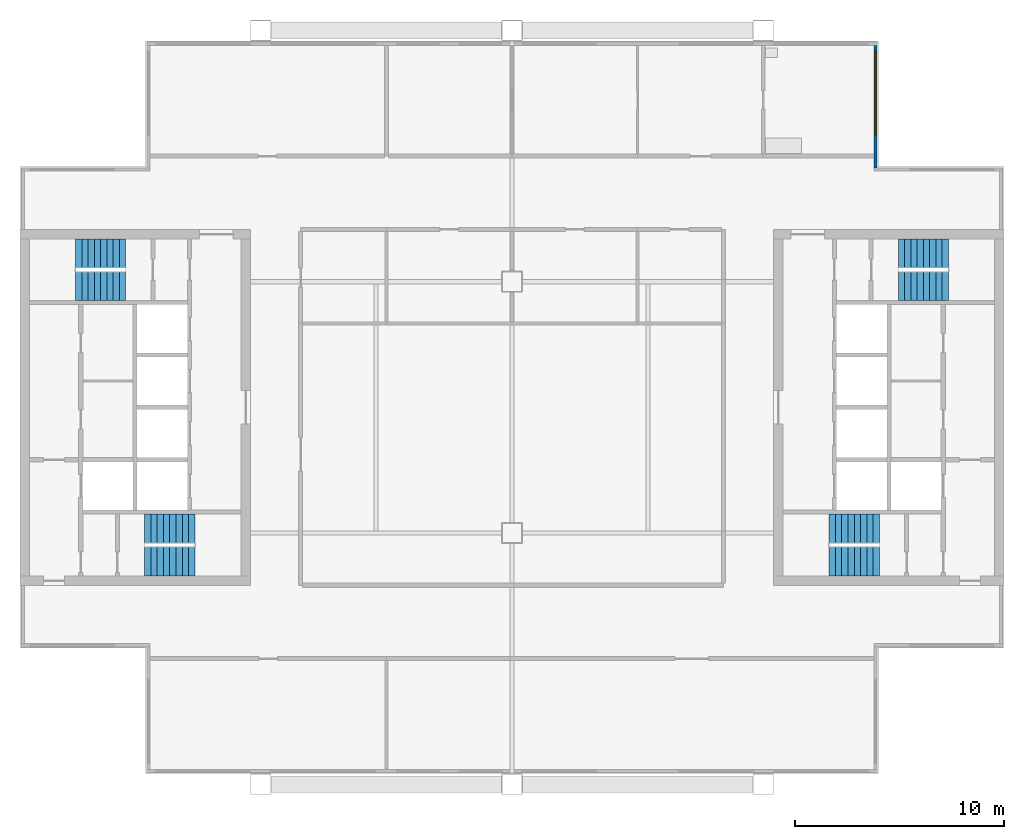
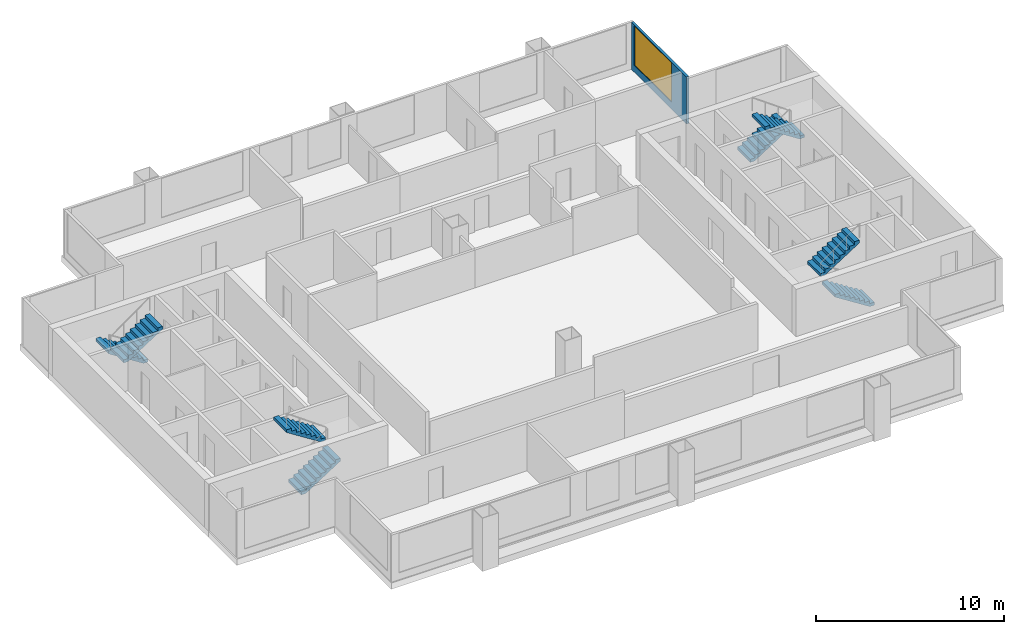
# One storey, part 5 of 7: 8 stair flights, 1 wall, 1 window, 1 opening, 4 elements without a shape of their own.
"""IFC4 building model written with IfcOpenShell, lengths in metres."""

from ifc_helpers import new_model, si_unit, direction, frame, frame_2d, origin, place, context, subcontext, project, spatial, polyline, rectangle, outline, extrude, material, layer, layer_set, type_object, element, fill, aggregate, save


model = new_model("IFC4")

# Units and contexts
model_context = context("Model", 3, precision=1e-05, world=origin(), true_north=direction((0.0, 1.0)))
body_context = subcontext(model_context, "Body", "Model", "MODEL_VIEW")
ifc_project = project(units=[si_unit("LENGTHUNIT", "METRE"), si_unit("AREAUNIT", "SQUARE_METRE"), si_unit("VOLUMEUNIT", "CUBIC_METRE"), si_unit("PLANEANGLEUNIT", "RADIAN"), si_unit("MASSUNIT", "GRAM", prefix="KILO")], contexts=[model_context])

# Site, building, storey
site_placement = place(None, origin())
site = spatial("IfcSite", under=ifc_project, at=site_placement, CompositionType="ELEMENT")
building_placement = place(site_placement, origin())
building = spatial("IfcBuilding", under=site, at=building_placement, Name="Kitamizu Gate Tower and Museum", CompositionType="ELEMENT")
storey_placement = place(building_placement, frame((0.0, 0.0, 245.550048828125)))
storey = spatial("IfcBuildingStorey", under=building, at=storey_placement, Name="L66", CompositionType="ELEMENT", Elevation=245.550048828125)

# Wall, opening, window
ifc_material_1 = material(Name="Bronze anodised aluminium frame with insulated spandrel and tinted glass", Category="aluminium")
ifc_layer = layer(ifc_material_1, 0.14990234375)
ifc_layer_set = layer_set([ifc_layer], Name="Bronze anodised aluminium frame with insulated spandrel and tinted glass")
wall_type = type_object("IfcWallType", Name="WINDOW WALL 150 BRONZE FRAME EI 30", PredefinedType="ELEMENTEDWALL", material=ifc_layer_set)
wall_placement = place(storey_placement, frame((53.364990234375, 41.43994140625, 0.0), z_axis=(0.0, 0.0, 1.0), x_axis=(0.0, 1.0, 0.0)))
wall = element("IfcWall", 1, at=wall_placement, inside=storey, type_object=wall_type, Name="Window wall east L66", PredefinedType="ELEMENTEDWALL", context=body_context, shape_type="SweptSolid", body=[
    extrude(rectangle(XDim=5.85009765625, YDim=0.14990234375, at=frame_2d((2.925048828125, 0.0))), origin(), (0.0, 0.0, 1.0), 3.050048828125),
])
opening_placement = place(wall_placement, frame((1.56005859375, 0.0, 0.449951171875)))
opening = element("IfcOpeningElement", 2, at=opening_placement, cuts=wall, Name="Opening W16", PredefinedType="OPENING", context=body_context, shape_type="SweptSolid", body=[
    extrude(rectangle(XDim=4.0, YDim=2.550048828125, at=frame_2d((2.0, 1.27490234375))), frame((0.0, 0.0849609375, 0.0), z_axis=(0.0, -1.0, 0.0), x_axis=(1.0, 0.0, 0.0)), (0.0, 0.0, 1.0), 0.169921875),
])
ifc_material_2 = material(Name="Bronze anodised aluminium frame, tinted triple glazing", Category="aluminium")
window_type = type_object("IfcWindowType", Name="WINDOW 4000 x 2550 SILL 450", PartitioningType="SINGLE_PANEL", PredefinedType="WINDOW", material=ifc_material_2)
window_placement = place(opening_placement, origin())
window = element("IfcWindow", 3, at=window_placement, inside=storey, type_object=window_type, Name="Window W16 L66", OverallHeight=2.550048828125, OverallWidth=4.0, PartitioningType="SINGLE_PANEL", PredefinedType="WINDOW", context=body_context, shape_type="SweptSolid", body=[
    extrude(rectangle(XDim=4.0, YDim=2.550048828125, at=frame_2d((2.0, 1.27490234375))), frame((0.0, 0.030029296875, 0.0), z_axis=(0.0, -1.0, 0.0), x_axis=(1.0, 0.0, 0.0)), (0.0, 0.0, 1.0), 0.06005859375),
])
fill(opening, window)

# Stair, stair flights
ifc_material_3 = material(Name="Concrete Fc42", Category="concrete")
stair_type = type_object("IfcStairType", Name="Exit stair 1375 wide 192 rise 300 going", PredefinedType="HALF_TURN_STAIR", material=ifc_material_3)
stair_1_placement = place(storey_placement, origin())
stair_1 = element("IfcStair", 4, at=stair_1_placement, inside=storey, type_object=stair_type, Name="Exit stair ST1", PredefinedType="HALF_TURN_STAIR")
ifc_material_4 = material(Name="Concrete Fc42", Category="concrete")
stair_flight_type = type_object("IfcStairFlightType", Name="Stair flight 1375 wide 192 rise 300 going", PredefinedType="STRAIGHT", material=ifc_material_4)
stair_flight_1_placement = place(storey_placement, frame((18.449951171875, 22.637451171875, 0.0), z_axis=(0.0, 0.0, 1.0), x_axis=(1.0, 0.0, 0.0)))
stair_flight_1 = element("IfcStairFlight", 5, at=stair_flight_1_placement, type_object=stair_flight_type, Name="ST1 flight 1", NumberOfRisers=9, NumberOfTreads=8, PredefinedType="STRAIGHT", RiserHeight=0.191666667, TreadLength=0.3, context=body_context, shape_type="SweptSolid", body=[
    extrude(outline(polyline([(0.0, 0.0), (0.0, 0.191650390625), (0.300048828125, 0.191650390625), (0.300048828125, 0.38330078125), (0.60009765625, 0.38330078125), (0.60009765625, 0.574951171875), (0.89990234375, 0.574951171875), (0.89990234375, 0.7666015625), (1.199951171875, 0.7666015625), (1.199951171875, 0.958251953125), (1.5, 0.958251953125), (1.5, 1.14990234375), (1.800048828125, 1.14990234375), (1.800048828125, 1.341552734375), (2.10009765625, 1.341552734375), (2.10009765625, 1.533447265625), (2.39990234375, 1.533447265625), (2.39990234375, 1.72509765625), (2.39990234375, 1.35546875), (0.2783203125, 0.0), (0.0, 0.0)])), frame((0.0, 0.6875, 0.0), z_axis=(0.0, -1.0, 0.0), x_axis=(1.0, 0.0, 0.0)), (0.0, 0.0, 1.0), 1.375),
])
stair_flight_2_placement = place(storey_placement, frame((20.85009765625, 24.21240234375, 1.724853515625), z_axis=(0.0, 0.0, 1.0), x_axis=(-1.0, 0.0, 0.0)))
stair_flight_2 = element("IfcStairFlight", 6, at=stair_flight_2_placement, type_object=stair_flight_type, Name="ST1 flight 2", NumberOfRisers=9, NumberOfTreads=8, PredefinedType="STRAIGHT", RiserHeight=0.191666667, TreadLength=0.3, context=body_context, shape_type="SweptSolid", body=[
    extrude(outline(polyline([(0.0, 0.0), (0.0, 0.191650390625), (0.300048828125, 0.191650390625), (0.300048828125, 0.38330078125), (0.60009765625, 0.38330078125), (0.60009765625, 0.574951171875), (0.89990234375, 0.574951171875), (0.89990234375, 0.7666015625), (1.199951171875, 0.7666015625), (1.199951171875, 0.958251953125), (1.5, 0.958251953125), (1.5, 1.14990234375), (1.800048828125, 1.14990234375), (1.800048828125, 1.341552734375), (2.10009765625, 1.341552734375), (2.10009765625, 1.533447265625), (2.39990234375, 1.533447265625), (2.39990234375, 1.72509765625), (2.39990234375, 1.35546875), (0.2783203125, 0.0), (0.0, 0.0)])), frame((0.0, 0.6875, 0.0), z_axis=(0.0, -1.0, 0.0), x_axis=(1.0, 0.0, 0.0)), (0.0, 0.0, 1.0), 1.375),
])
aggregate(stair_1, [stair_flight_1, stair_flight_2])

stair_2_placement = place(storey_placement, origin())
stair_2 = element("IfcStair", 7, at=stair_2_placement, inside=storey, type_object=stair_type, Name="Exit stair ST2", PredefinedType="HALF_TURN_STAIR")
stair_flight_3_placement = place(storey_placement, frame((17.550048828125, 37.362548828125, 0.0), z_axis=(0.0, 0.0, 1.0), x_axis=(-1.0, 0.0, 0.0)))
stair_flight_3 = element("IfcStairFlight", 8, at=stair_flight_3_placement, type_object=stair_flight_type, Name="ST2 flight 1", NumberOfRisers=9, NumberOfTreads=8, PredefinedType="STRAIGHT", RiserHeight=0.191666667, TreadLength=0.3, context=body_context, shape_type="SweptSolid", body=[
    extrude(outline(polyline([(0.0, 0.0), (0.0, 0.191650390625), (0.300048828125, 0.191650390625), (0.300048828125, 0.38330078125), (0.60009765625, 0.38330078125), (0.60009765625, 0.574951171875), (0.89990234375, 0.574951171875), (0.89990234375, 0.7666015625), (1.199951171875, 0.7666015625), (1.199951171875, 0.958251953125), (1.5, 0.958251953125), (1.5, 1.14990234375), (1.800048828125, 1.14990234375), (1.800048828125, 1.341552734375), (2.10009765625, 1.341552734375), (2.10009765625, 1.533447265625), (2.39990234375, 1.533447265625), (2.39990234375, 1.72509765625), (2.39990234375, 1.35546875), (0.2783203125, 0.0), (0.0, 0.0)])), frame((0.0, 0.6875, 0.0), z_axis=(0.0, -1.0, 0.0), x_axis=(1.0, 0.0, 0.0)), (0.0, 0.0, 1.0), 1.375),
])
stair_flight_4_placement = place(storey_placement, frame((15.14990234375, 35.78759765625, 1.724853515625), z_axis=(0.0, 0.0, 1.0), x_axis=(1.0, 0.0, 0.0)))
stair_flight_4 = element("IfcStairFlight", 9, at=stair_flight_4_placement, type_object=stair_flight_type, Name="ST2 flight 2", NumberOfRisers=9, NumberOfTreads=8, PredefinedType="STRAIGHT", RiserHeight=0.191666667, TreadLength=0.3, context=body_context, shape_type="SweptSolid", body=[
    extrude(outline(polyline([(0.0, 0.0), (0.0, 0.191650390625), (0.300048828125, 0.191650390625), (0.300048828125, 0.38330078125), (0.60009765625, 0.38330078125), (0.60009765625, 0.574951171875), (0.89990234375, 0.574951171875), (0.89990234375, 0.7666015625), (1.199951171875, 0.7666015625), (1.199951171875, 0.958251953125), (1.5, 0.958251953125), (1.5, 1.14990234375), (1.800048828125, 1.14990234375), (1.800048828125, 1.341552734375), (2.10009765625, 1.341552734375), (2.10009765625, 1.533447265625), (2.39990234375, 1.533447265625), (2.39990234375, 1.72509765625), (2.39990234375, 1.35546875), (0.2783203125, 0.0), (0.0, 0.0)])), frame((0.0, 0.6875, 0.0), z_axis=(0.0, -1.0, 0.0), x_axis=(1.0, 0.0, 0.0)), (0.0, 0.0, 1.0), 1.375),
])
aggregate(stair_2, [stair_flight_3, stair_flight_4])

stair_3_placement = place(storey_placement, origin())
stair_3 = element("IfcStair", 10, at=stair_3_placement, inside=storey, type_object=stair_type, Name="Exit stair ST3", PredefinedType="HALF_TURN_STAIR")
stair_flight_5_placement = place(storey_placement, frame((53.550048828125, 22.637451171875, 0.0), z_axis=(0.0, 0.0, 1.0), x_axis=(-1.0, 0.0, 0.0)))
stair_flight_5 = element("IfcStairFlight", 11, at=stair_flight_5_placement, type_object=stair_flight_type, Name="ST3 flight 1", NumberOfRisers=9, NumberOfTreads=8, PredefinedType="STRAIGHT", RiserHeight=0.191666667, TreadLength=0.3, context=body_context, shape_type="SweptSolid", body=[
    extrude(outline(polyline([(0.0, 0.0), (0.0, 0.191650390625), (0.300048828125, 0.191650390625), (0.300048828125, 0.38330078125), (0.60009765625, 0.38330078125), (0.60009765625, 0.574951171875), (0.89990234375, 0.574951171875), (0.89990234375, 0.7666015625), (1.199951171875, 0.7666015625), (1.199951171875, 0.958251953125), (1.5, 0.958251953125), (1.5, 1.14990234375), (1.800048828125, 1.14990234375), (1.800048828125, 1.341552734375), (2.10009765625, 1.341552734375), (2.10009765625, 1.533447265625), (2.39990234375, 1.533447265625), (2.39990234375, 1.72509765625), (2.39990234375, 1.35546875), (0.2783203125, 0.0), (0.0, 0.0)])), frame((0.0, 0.6875, 0.0), z_axis=(0.0, -1.0, 0.0), x_axis=(1.0, 0.0, 0.0)), (0.0, 0.0, 1.0), 1.375),
])
stair_flight_6_placement = place(storey_placement, frame((51.14990234375, 24.21240234375, 1.724853515625), z_axis=(0.0, 0.0, 1.0), x_axis=(1.0, 0.0, 0.0)))
stair_flight_6 = element("IfcStairFlight", 12, at=stair_flight_6_placement, type_object=stair_flight_type, Name="ST3 flight 2", NumberOfRisers=9, NumberOfTreads=8, PredefinedType="STRAIGHT", RiserHeight=0.191666667, TreadLength=0.3, context=body_context, shape_type="SweptSolid", body=[
    extrude(outline(polyline([(0.0, 0.0), (0.0, 0.191650390625), (0.300048828125, 0.191650390625), (0.300048828125, 0.38330078125), (0.60009765625, 0.38330078125), (0.60009765625, 0.574951171875), (0.89990234375, 0.574951171875), (0.89990234375, 0.7666015625), (1.199951171875, 0.7666015625), (1.199951171875, 0.958251953125), (1.5, 0.958251953125), (1.5, 1.14990234375), (1.800048828125, 1.14990234375), (1.800048828125, 1.341552734375), (2.10009765625, 1.341552734375), (2.10009765625, 1.533447265625), (2.39990234375, 1.533447265625), (2.39990234375, 1.72509765625), (2.39990234375, 1.35546875), (0.2783203125, 0.0), (0.0, 0.0)])), frame((0.0, 0.6875, 0.0), z_axis=(0.0, -1.0, 0.0), x_axis=(1.0, 0.0, 0.0)), (0.0, 0.0, 1.0), 1.375),
])
aggregate(stair_3, [stair_flight_5, stair_flight_6])

stair_4_placement = place(storey_placement, origin())
stair_4 = element("IfcStair", 13, at=stair_4_placement, inside=storey, type_object=stair_type, Name="Exit stair ST4", PredefinedType="HALF_TURN_STAIR")
stair_flight_7_placement = place(storey_placement, frame((54.449951171875, 37.362548828125, 0.0), z_axis=(0.0, 0.0, 1.0), x_axis=(1.0, 0.0, 0.0)))
stair_flight_7 = element("IfcStairFlight", 14, at=stair_flight_7_placement, type_object=stair_flight_type, Name="ST4 flight 1", NumberOfRisers=9, NumberOfTreads=8, PredefinedType="STRAIGHT", RiserHeight=0.191666667, TreadLength=0.3, context=body_context, shape_type="SweptSolid", body=[
    extrude(outline(polyline([(0.0, 0.0), (0.0, 0.191650390625), (0.300048828125, 0.191650390625), (0.300048828125, 0.38330078125), (0.60009765625, 0.38330078125), (0.60009765625, 0.574951171875), (0.89990234375, 0.574951171875), (0.89990234375, 0.7666015625), (1.199951171875, 0.7666015625), (1.199951171875, 0.958251953125), (1.5, 0.958251953125), (1.5, 1.14990234375), (1.800048828125, 1.14990234375), (1.800048828125, 1.341552734375), (2.10009765625, 1.341552734375), (2.10009765625, 1.533447265625), (2.39990234375, 1.533447265625), (2.39990234375, 1.72509765625), (2.39990234375, 1.35546875), (0.2783203125, 0.0), (0.0, 0.0)])), frame((0.0, 0.6875, 0.0), z_axis=(0.0, -1.0, 0.0), x_axis=(1.0, 0.0, 0.0)), (0.0, 0.0, 1.0), 1.375),
])
stair_flight_8_placement = place(storey_placement, frame((56.85009765625, 35.78759765625, 1.724853515625), z_axis=(0.0, 0.0, 1.0), x_axis=(-1.0, 0.0, 0.0)))
stair_flight_8 = element("IfcStairFlight", 15, at=stair_flight_8_placement, type_object=stair_flight_type, Name="ST4 flight 2", NumberOfRisers=9, NumberOfTreads=8, PredefinedType="STRAIGHT", RiserHeight=0.191666667, TreadLength=0.3, context=body_context, shape_type="SweptSolid", body=[
    extrude(outline(polyline([(0.0, 0.0), (0.0, 0.191650390625), (0.300048828125, 0.191650390625), (0.300048828125, 0.38330078125), (0.60009765625, 0.38330078125), (0.60009765625, 0.574951171875), (0.89990234375, 0.574951171875), (0.89990234375, 0.7666015625), (1.199951171875, 0.7666015625), (1.199951171875, 0.958251953125), (1.5, 0.958251953125), (1.5, 1.14990234375), (1.800048828125, 1.14990234375), (1.800048828125, 1.341552734375), (2.10009765625, 1.341552734375), (2.10009765625, 1.533447265625), (2.39990234375, 1.533447265625), (2.39990234375, 1.72509765625), (2.39990234375, 1.35546875), (0.2783203125, 0.0), (0.0, 0.0)])), frame((0.0, 0.6875, 0.0), z_axis=(0.0, -1.0, 0.0), x_axis=(1.0, 0.0, 0.0)), (0.0, 0.0, 1.0), 1.375),
])
aggregate(stair_4, [stair_flight_7, stair_flight_8])

save(model, "model.ifc")
